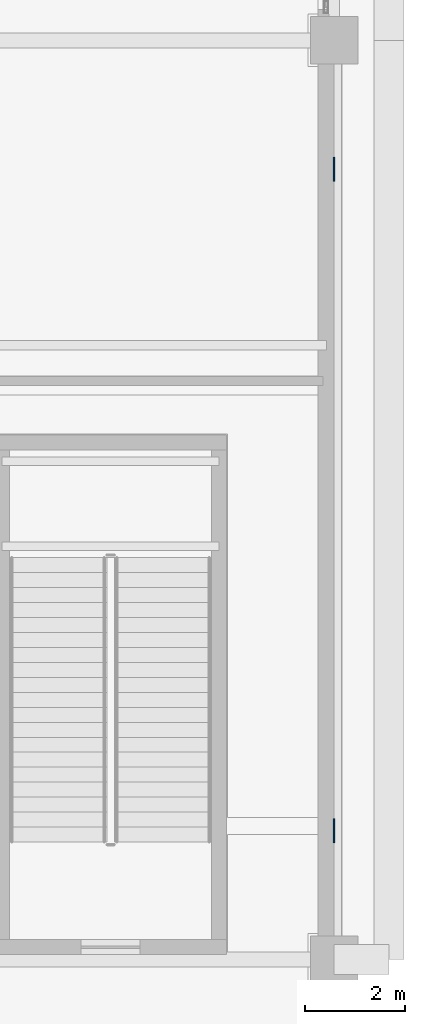
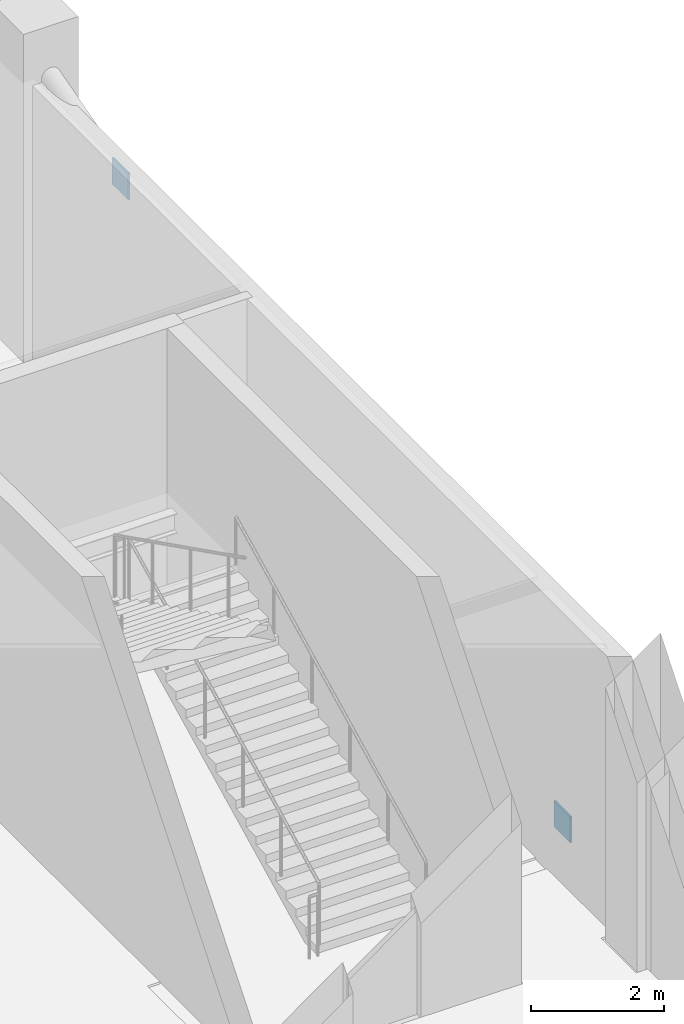
# One storey, part 20 of 32: 2 plates.
"""IFC4 building model written with IfcOpenShell, lengths in metres."""

import ifcopenshell
import ifcopenshell.guid

model = None  # the IFC model being written
_history = None  # IfcOwnerHistory: only IFC2X3 demands one
_inside = {}  # id of a spatial element -> (the spatial element, [elements in it])
_under = {}  # id of a project, library or spatial element -> (it, [spatial elements below it])
_declared = {}  # id of a project -> (the project, [libraries it declares])
_typed = {}  # id of a type object -> (the type object, [elements of that type])
_made_of = {}  # id of a material, layer set ... -> (it, [elements and type objects made of it])


def new_model(schema):
    """Start an empty IFC model of exactly this schema.

    Asked for "IFC4X3", IfcOpenShell would pick the latest addendum, in which some entities
    have other attributes; the version numbers below select the first issue.
    IFC2X3 requires an IfcOwnerHistory on every rooted entity: one is made here for all.
    """
    global model, _history
    if schema == "IFC4X3":
        model = ifcopenshell.file(schema_version=(4, 3, 0, 0))
    else:
        model = ifcopenshell.file(schema=schema)
    _inside.clear()
    _under.clear()
    _declared.clear()
    _typed.clear()
    _made_of.clear()
    _history = None
    if model.schema == "IFC2X3":
        org = make("IfcOrganization", Name="unknown")
        user = make(
            "IfcPersonAndOrganization",
            ThePerson=make("IfcPerson", FamilyName="unknown"),
            TheOrganization=org,
        )
        app = make(
            "IfcApplication",
            ApplicationDeveloper=org,
            Version="unknown",
            ApplicationFullName="unknown",
            ApplicationIdentifier="unknown",
        )
        _history = make(
            "IfcOwnerHistory",
            OwningUser=user,
            OwningApplication=app,
            ChangeAction="ADDED",
            CreationDate=0,
        )
    return model


def make(cls, **values):
    """One entity of the class cls with the attributes given. An attribute that is None is left unset."""
    return model.create_entity(
        cls, **{name: value for name, value in values.items() if value is not None}
    )


def rooted(cls, **values):
    """An entity with a GlobalId (a new one), such as an element, a storey or a relation."""
    return make(cls, GlobalId=ifcopenshell.guid.new(), OwnerHistory=_history, **values)


def si_unit(unit_type, name, prefix=None):
    """IfcSIUnit, for example si_unit("LENGTHUNIT", "METRE", prefix="MILLI")."""
    return make("IfcSIUnit", UnitType=unit_type, Prefix=prefix, Name=name)


def assignment(units):
    """IfcUnitAssignment: the units of a project."""
    return None if units is None else make("IfcUnitAssignment", Units=units)


def point(xyz):
    """IfcCartesianPoint."""
    return None if xyz is None else make("IfcCartesianPoint", Coordinates=xyz)


def direction(xyz):
    """IfcDirection."""
    return None if xyz is None else make("IfcDirection", DirectionRatios=xyz)


def frame(location, z_axis=None, x_axis=None):
    """IfcAxis2Placement3D, a coordinate frame: its origin and axes. An axis left out is left unset."""
    return make(
        "IfcAxis2Placement3D",
        Location=point(location),
        Axis=direction(z_axis),
        RefDirection=direction(x_axis),
    )


def frame_2d(location, x_axis=None):
    """IfcAxis2Placement2D, a coordinate frame in the plane: its origin and x axis."""
    return make(
        "IfcAxis2Placement2D", Location=point(location), RefDirection=direction(x_axis)
    )


def origin():
    """The frame at (0, 0, 0) with its axes left unset."""
    return frame((0.0, 0.0, 0.0))


def origin_2d():
    """The frame at (0, 0) in the plane with its x axis left unset."""
    return frame_2d((0.0, 0.0))


def place(relative_to, where):
    """IfcLocalPlacement: puts the frame where relative to a parent placement (None: the world)."""
    return make(
        "IfcLocalPlacement", PlacementRelTo=relative_to, RelativePlacement=where
    )


def context(
    kind, dimensions, precision=None, world=None, true_north=None, identifier=None
):
    """IfcGeometricRepresentationContext, for example the 3D "Model" context."""
    return make(
        "IfcGeometricRepresentationContext",
        ContextIdentifier=identifier,
        ContextType=kind,
        CoordinateSpaceDimension=dimensions,
        Precision=precision,
        WorldCoordinateSystem=world,
        TrueNorth=true_north,
    )


def subcontext(parent, identifier, kind, view, scale=None):
    """IfcGeometricRepresentationSubContext, for example "Body" below "Model"."""
    return make(
        "IfcGeometricRepresentationSubContext",
        ContextIdentifier=identifier,
        ContextType=kind,
        ParentContext=parent,
        TargetScale=scale,
        TargetView=view,
    )


def project(units=None, contexts=None):
    """IfcProject with its units and contexts."""
    return rooted(
        "IfcProject",
        Name="project",
        RepresentationContexts=contexts,
        UnitsInContext=assignment(units),
    )


def spatial(cls, under=None, at=None, **own):
    """A site, building, storey or space (cls), placed at a placement, below another one or the project."""
    s = rooted(cls, ObjectPlacement=at, **own)
    if under is not None:
        _under.setdefault(under.id(), (under, []))[1].append(s)
    return s


def profile(cls, at=None, kind="AREA", **sizes):
    """A parametric profile (cls). Its sizes go by their IFC names, for example OverallWidth=200.0."""
    return make(cls, ProfileType=kind, Position=at, **sizes)


def rectangle(**sizes):
    """IfcRectangleProfileDef."""
    return profile("IfcRectangleProfileDef", **sizes)


def extrude(swept, where, along, depth):
    """IfcExtrudedAreaSolid: the profile swept, set in the frame where, extruded along a direction by depth."""
    return make(
        "IfcExtrudedAreaSolid",
        SweptArea=swept,
        Position=where,
        ExtrudedDirection=direction(along),
        Depth=depth,
    )


def shape(context_of_items, identifier, shape_type, items):
    """IfcShapeRepresentation: the items that make up one representation, for example the "Body"."""
    return make(
        "IfcShapeRepresentation",
        ContextOfItems=context_of_items,
        RepresentationIdentifier=identifier,
        RepresentationType=shape_type,
        Items=items,
    )


def material(Name=None, Category=None):
    """IfcMaterial."""
    return make("IfcMaterial", Name=Name, Category=Category)


def layer(
    of_material, thickness, ventilated=None, Name=None, Category=None, Priority=None
):
    """IfcMaterialLayer: one layer of a wall or slab, of a material (None: an air gap)."""
    return make(
        "IfcMaterialLayer",
        Material=of_material,
        LayerThickness=thickness,
        IsVentilated=ventilated,
        Name=Name,
        Category=Category,
        Priority=Priority,
    )


def layer_set(layers, Name=None):
    """IfcMaterialLayerSet."""
    return make("IfcMaterialLayerSet", MaterialLayers=layers, LayerSetName=Name)


def made_of(thing, what):
    """Note that an element or type object is made of a material, layer set ...; save() writes the relation."""
    if what is not None:
        _made_of.setdefault(what.id(), (what, []))[1].append(thing)
    return thing


def type_object(cls, material=None, **own):
    """A type object (cls), such as IfcWallType, which elements share."""
    return made_of(rooted(cls, **own), material)


def element(
    cls,
    number,
    at=None,
    inside=None,
    cuts=None,
    type_object=None,
    material=None,
    context=None,
    identifier="Body",
    shape_type=None,
    held_by="IfcProductDefinitionShape",
    body=None,
    shapes=None,
    **own,
):
    """One element of the class cls, such as IfcWall. Its Tag is "e" and its number.

    at: its placement. inside: the storey or other place that contains it. cuts: it is an
    opening in that element (IfcRelVoidsElement). A single representation is given by context,
    identifier, shape_type and body (its items); several are given by shapes. held_by: the class
    of the entity that holds the representations. save() writes the other relations.
    """
    e = rooted(cls, Tag="e%d" % number, ObjectPlacement=at, **own)
    if body is not None:
        shapes = [shape(context, identifier, shape_type, body)]
    if shapes is not None:
        e.Representation = make(held_by, Representations=shapes)
    if inside is not None:
        _inside.setdefault(inside.id(), (inside, []))[1].append(e)
    if cuts is not None:
        rooted(
            "IfcRelVoidsElement", RelatingBuildingElement=cuts, RelatedOpeningElement=e
        )
    if type_object is not None:
        _typed.setdefault(type_object.id(), (type_object, []))[1].append(e)
    return made_of(e, material)


def aggregate(whole, parts):
    """IfcRelAggregates: a whole, such as a stair, and the parts it consists of."""
    return rooted("IfcRelAggregates", RelatingObject=whole, RelatedObjects=parts)


def save(model, path):
    """Write the relations noted so far, then the file.

    IfcRelAggregates (storeys below a building ...), IfcRelContainedInSpatialStructure (elements
    in a storey), IfcRelDefinesByType, IfcRelAssociatesMaterial and IfcRelDeclares: one each for
    every whole, place, type object, material and project.
    """
    for whole, parts in _under.values():
        aggregate(whole, parts)
    for where, things in _inside.values():
        rooted(
            "IfcRelContainedInSpatialStructure",
            RelatedElements=things,
            RelatingStructure=where,
        )
    for kind, things in _typed.values():
        rooted("IfcRelDefinesByType", RelatedObjects=things, RelatingType=kind)
    for what, things in _made_of.values():
        rooted("IfcRelAssociatesMaterial", RelatedObjects=things, RelatingMaterial=what)
    for by, libraries in _declared.values():
        rooted("IfcRelDeclares", RelatingContext=by, RelatedDefinitions=libraries)
    model.write(path)


model = new_model("IFC4")

# Units and contexts
model_context = context("Model", 3, precision=1e-05, world=origin(), true_north=direction((0.0, 1.0)))
body_context = subcontext(model_context, "Body", "Model", "MODEL_VIEW")
ifc_project = project(units=[si_unit("LENGTHUNIT", "METRE"), si_unit("AREAUNIT", "SQUARE_METRE"), si_unit("VOLUMEUNIT", "CUBIC_METRE"), si_unit("PLANEANGLEUNIT", "RADIAN"), si_unit("MASSUNIT", "GRAM", prefix="KILO")], contexts=[model_context])

# Site, building, storey
site_placement = place(None, origin())
site = spatial("IfcSite", under=ifc_project, at=site_placement, CompositionType="ELEMENT")
building_placement = place(site_placement, origin())
building = spatial("IfcBuilding", under=site, at=building_placement, Name="Punatoya Terracotta Tower", CompositionType="ELEMENT")
storey_placement = place(building_placement, origin())
storey = spatial("IfcBuildingStorey", under=building, at=storey_placement, Name="L00", CompositionType="ELEMENT", Elevation=0.0)

# Plates
ifc_material = material(Name="Steel S460", Category="steel")
ifc_layer = layer(ifc_material, 0.031982421875)
ifc_layer_set = layer_set([ifc_layer], Name="Steel S460")
plate_type = type_object("IfcPlateType", Name="PLT-END-32", PredefinedType="USERDEFINED", material=ifc_layer_set)
for number, where, z_axis, x_axis, name in (
    (1, (37.0, -6.6240234375, 0.505126953125), (0.0, 0.0, 1.0), (1.0, 0.0, 0.0), "L00 Podium Brace PBR-2 End Connection Plate 1"),
    (2, (37.0, 6.6240234375, 4.23486328125), (0.0, 0.0, 1.0), (1.0, 0.0, 0.0), "L00 Podium Brace PBR-2 End Connection Plate 2"),
):
    element("IfcPlate", number, at=place(storey_placement, frame(where, z_axis=z_axis, x_axis=x_axis)), inside=storey, type_object=plate_type, Name=name, ObjectType="FLANGE_PLATE", PredefinedType="USERDEFINED", context=body_context, shape_type="SweptSolid", body=[
        extrude(rectangle(XDim=0.031982421875, YDim=0.47998046875, at=origin_2d()), origin(), (0.0, 0.0, 1.0), 0.47998046875),
    ])

save(model, "model.ifc")
